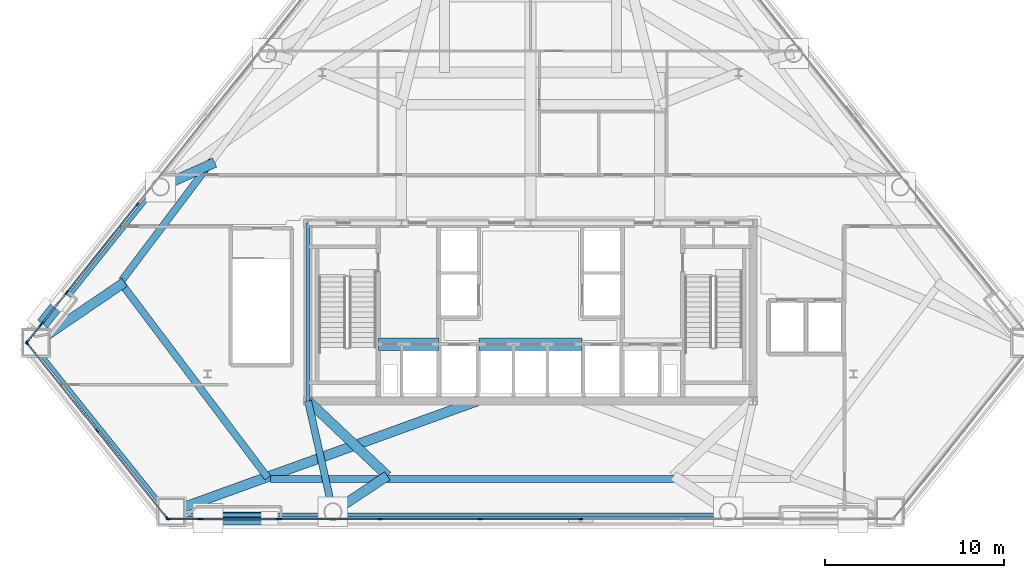
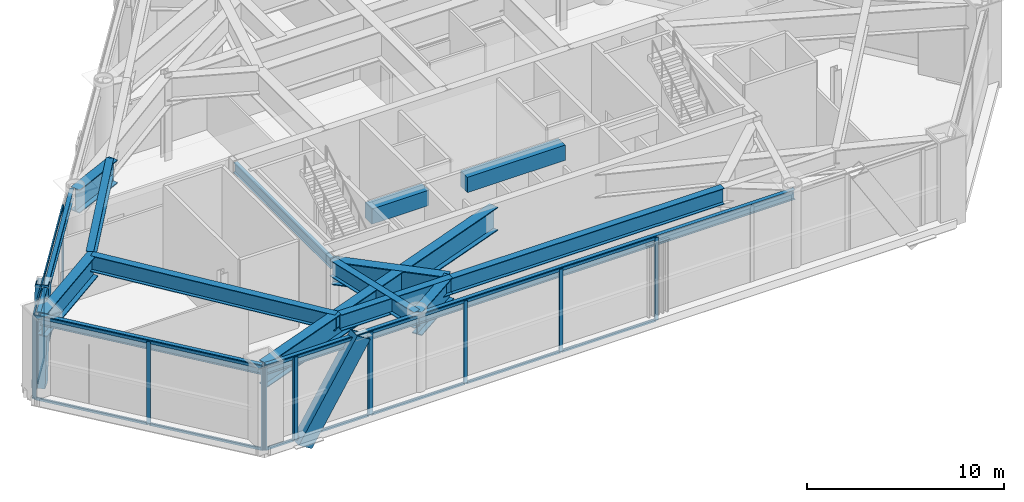
# One storey, part 3 of 13: 39 members, 17 beams, 7 elements without a shape of their own.
"""IFC4 building model written with IfcOpenShell, lengths in metres."""

from ifc_helpers import new_model, si_unit, direction, frame, origin, origin_2d, place, context, subcontext, project, spatial, rectangle, hollow_rectangle, i_section, extrude, material, layer, layer_set, material_profile, profile_set, type_object, element, aggregate, save


model = new_model("IFC4")

# Units and contexts
model_context = context("Model", 3, precision=1e-05, world=origin(), true_north=direction((0.0, 1.0)))
body_context = subcontext(model_context, "Body", "Model", "MODEL_VIEW")
ifc_project = project(units=[si_unit("LENGTHUNIT", "METRE"), si_unit("AREAUNIT", "SQUARE_METRE"), si_unit("VOLUMEUNIT", "CUBIC_METRE"), si_unit("PLANEANGLEUNIT", "RADIAN"), si_unit("MASSUNIT", "GRAM", prefix="KILO")], contexts=[model_context])

# Site, building, storey
site_placement = place(None, origin())
site = spatial("IfcSite", under=ifc_project, at=site_placement, CompositionType="ELEMENT")
building_placement = place(site_placement, origin())
building = spatial("IfcBuilding", under=site, at=building_placement, Name="Talgorran Terracotta Tower", CompositionType="ELEMENT")
storey_placement = place(building_placement, frame((0.0, 0.0, 18.89990234375)))
storey = spatial("IfcBuildingStorey", under=building, at=storey_placement, Name="L04", CompositionType="ELEMENT", Elevation=18.89990234375)

# Beams
ifc_material_1 = material(Name="Steel Grade 350 (350L0)", Category="steel")
ifc_material_profile_1 = material_profile(ifc_material_1, i_section(OverallWidth=0.39990234375, OverallDepth=1.0, WebThickness=0.01611328125, FlangeThickness=0.031005859375, at=origin_2d()), Name="1000WB296")
ifc_profile_set_1 = profile_set([ifc_material_profile_1], Name="Steel Grade 350 (350L0)")
beam_type_1 = type_object("IfcBeamType", Name="BM_1000WB296", PredefinedType="BEAM", material=ifc_profile_set_1)
beam_1_placement = place(storey_placement, frame((-11.01220703125, -20.280029296875, 4.650146484375), z_axis=(-0.219093011867, 0.975703977726, 0.0), x_axis=(-0.975703977726, -0.219093011867, 0.0)))
element("IfcBeam", 1, at=beam_1_placement, inside=storey, type_object=beam_type_1, Name="L04 South-West Core Tie Beam", PredefinedType="BEAM", context=body_context, shape_type="SweptSolid", body=[
    extrude(i_section(OverallWidth=0.39990234375, OverallDepth=1.0, WebThickness=0.01611328125, FlangeThickness=0.031005859375, at=origin_2d()), origin(), (0.0, 0.0, 1.0), 6.333740234375),
])
beam_2_placement = place(storey_placement, frame((-22.770263671875, -7.5986328125, 4.650146484375), z_axis=(0.601820005964, -0.798631755205, 0.0), x_axis=(0.798631755205, 0.601820005964, 0.0)))
element("IfcBeam", 2, at=beam_2_placement, inside=storey, type_object=beam_type_1, Name="L04 Setback Inner Spandrel Girder 1", PredefinedType="BEAM", context=body_context, shape_type="SweptSolid", body=[
    extrude(i_section(OverallWidth=0.39990234375, OverallDepth=1.0, WebThickness=0.01611328125, FlangeThickness=0.031005859375, at=origin_2d()), origin(), (0.0, 0.0, 1.0), 13.510009765625),
])
beam_3_placement = place(storey_placement, frame((-14.495849609375, -18.4599609375, 4.650146484375), z_axis=(1.0, 0.0, 0.0), x_axis=(0.0, 1.0, 0.0)))
element("IfcBeam", 3, at=beam_3_placement, inside=storey, type_object=beam_type_1, Name="L04 Setback Inner Spandrel Girder 2", PredefinedType="BEAM", context=body_context, shape_type="SweptSolid", body=[
    extrude(i_section(OverallWidth=0.39990234375, OverallDepth=1.0, WebThickness=0.01611328125, FlangeThickness=0.031005859375, at=origin_2d()), origin(), (0.0, 0.0, 1.0), 6.523193359375),
])
beam_4_placement = place(storey_placement, frame((-7.97265625, -18.4599609375, 4.650146484375), z_axis=(1.0, 0.0, 0.0), x_axis=(0.0, 1.0, 0.0)))
element("IfcBeam", 4, at=beam_4_placement, inside=storey, type_object=beam_type_1, Name="L04 Setback Inner Spandrel Girder 3", PredefinedType="BEAM", context=body_context, shape_type="SweptSolid", body=[
    extrude(i_section(OverallWidth=0.39990234375, OverallDepth=1.0, WebThickness=0.01611328125, FlangeThickness=0.031005859375, at=origin_2d()), origin(), (0.0, 0.0, 1.0), 15.9453125),
])
beam_5_placement = place(storey_placement, frame((-17.7431640625, -0.710693359375, 4.650146484375), z_axis=(-0.601803503312, -0.798644190739, 0.0), x_axis=(0.798644190739, -0.601803503312, 0.0)))
element("IfcBeam", 5, at=beam_5_placement, inside=storey, type_object=beam_type_1, Name="L04 Setback Inner Spandrel Girder 12", PredefinedType="BEAM", context=body_context, shape_type="SweptSolid", body=[
    extrude(i_section(OverallWidth=0.39990234375, OverallDepth=1.0, WebThickness=0.01611328125, FlangeThickness=0.031005859375, at=origin_2d()), origin(), (0.0, 0.0, 1.0), 8.353271484375),
])
ifc_material_2 = material(Name="Concrete C65/80", Category="concrete")
ifc_material_profile_2 = material_profile(ifc_material_2, rectangle(XDim=0.699951171875, YDim=0.949951171875, at=origin_2d()), Name="RCCB700X950")
ifc_profile_set_2 = profile_set([ifc_material_profile_2], Name="Concrete C65/80")
beam_type_2 = type_object("IfcBeamType", Name="BM_CB_700X950", PredefinedType="LINTEL", material=ifc_profile_set_2)
beam_6_placement = place(storey_placement, frame((-8.47998046875, -10.949951171875, 4.675048828125), z_axis=(1.0, 0.0, 0.0), x_axis=(0.0, 1.0, 0.0)))
element("IfcBeam", 6, at=beam_6_placement, inside=storey, type_object=beam_type_2, Name="L04 Core Shear-Wall Coupling Beam CB1", PredefinedType="LINTEL", context=body_context, shape_type="SweptSolid", body=[
    extrude(rectangle(XDim=0.699951171875, YDim=0.949951171875, at=origin_2d()), origin(), (0.0, 0.0, 1.0), 3.35986328125),
])
beam_7_placement = place(storey_placement, frame((-2.8798828125, -10.949951171875, 4.675048828125), z_axis=(1.0, 0.0, 0.0), x_axis=(0.0, 1.0, 0.0)))
element("IfcBeam", 7, at=beam_7_placement, inside=storey, type_object=beam_type_2, Name="L04 Core Shear-Wall Coupling Beam CB2", PredefinedType="LINTEL", context=body_context, shape_type="SweptSolid", body=[
    extrude(rectangle(XDim=0.699951171875, YDim=0.949951171875, at=origin_2d()), origin(), (0.0, 0.0, 1.0), 5.759765625),
])
ifc_material_3 = material(Name="Steel S355 (300PLUS)", Category="steel")
ifc_material_profile_3 = material_profile(ifc_material_3, i_section(OverallWidth=0.22900390625, OverallDepth=0.611572265625, WebThickness=0.011962890625, FlangeThickness=0.01953125, at=origin_2d()), Name="610UB125")
ifc_profile_set_3 = profile_set([ifc_material_profile_3], Name="Steel S355 (300PLUS)")
beam_type_3 = type_object("IfcBeamType", Name="BM_SP_610UB125", PredefinedType="SPANDREL", material=ifc_profile_set_3)
beam_8_placement = place(storey_placement, frame((-27.710205078125, -10.968505859375, 4.84423828125), z_axis=(0.625116627788, -0.780531358539, 0.0), x_axis=(0.780531358539, 0.625116627788, 0.0)))
element("IfcBeam", 8, at=beam_8_placement, inside=storey, type_object=beam_type_3, Name="L04 Perimeter Spandrel Beam MC1-MC2", PredefinedType="SPANDREL", context=body_context, shape_type="SweptSolid", body=[
    extrude(i_section(OverallWidth=0.22900390625, OverallDepth=0.611572265625, WebThickness=0.011962890625, FlangeThickness=0.01953125, at=origin_2d()), origin(), (0.0, 0.0, 1.0), 12.073974609375),
])
beam_9_placement = place(storey_placement, frame((-20.022216796875, -20.4599609375, 4.84423828125), z_axis=(1.0, 0.0, 0.0), x_axis=(0.0, 1.0, 0.0)))
element("IfcBeam", 9, at=beam_9_placement, inside=storey, type_object=beam_type_3, Name="L04 Perimeter Spandrel Beam MC2-FC1", PredefinedType="SPANDREL", context=body_context, shape_type="SweptSolid", body=[
    extrude(i_section(OverallWidth=0.22900390625, OverallDepth=0.611572265625, WebThickness=0.011962890625, FlangeThickness=0.01953125, at=origin_2d()), origin(), (0.0, 0.0, 1.0), 9.010009765625),
])
beam_10_placement = place(storey_placement, frame((-11.01220703125, -20.4599609375, 4.84423828125), z_axis=(1.0, 0.0, 0.0), x_axis=(0.0, 1.0, 0.0)))
element("IfcBeam", 10, at=beam_10_placement, inside=storey, type_object=beam_type_3, Name="L04 Perimeter Spandrel Beam FC1-FC2", PredefinedType="SPANDREL", context=body_context, shape_type="SweptSolid", body=[
    extrude(i_section(OverallWidth=0.22900390625, OverallDepth=0.611572265625, WebThickness=0.011962890625, FlangeThickness=0.01953125, at=origin_2d()), origin(), (0.0, 0.0, 1.0), 22.0244140625),
])
beam_11_placement = place(storey_placement, frame((-20.7607421875, -2.06640625, 4.84423828125), z_axis=(-0.625126142132, -0.780523738539, 0.0), x_axis=(0.780523738539, -0.625126142132, 0.0)))
element("IfcBeam", 11, at=beam_11_placement, inside=storey, type_object=beam_type_3, Name="L04 Perimeter Spandrel Beam FC6-MC1", PredefinedType="SPANDREL", context=body_context, shape_type="SweptSolid", body=[
    extrude(i_section(OverallWidth=0.22900390625, OverallDepth=0.611572265625, WebThickness=0.011962890625, FlangeThickness=0.01953125, at=origin_2d()), origin(), (0.0, 0.0, 1.0), 11.116943359375),
])
beam_12_placement = place(storey_placement, frame((-12.39990234375, -14.10009765625, 4.84423828125), z_axis=(0.0, 1.0, 0.0), x_axis=(-1.0, 0.0, 0.0)))
element("IfcBeam", 12, at=beam_12_placement, inside=storey, type_object=beam_type_3, Name="L04 Core Frame Beam CFW", PredefinedType="SPANDREL", context=body_context, shape_type="SweptSolid", body=[
    extrude(i_section(OverallWidth=0.22900390625, OverallDepth=0.611572265625, WebThickness=0.011962890625, FlangeThickness=0.01953125, at=origin_2d()), origin(), (0.0, 0.0, 1.0), 9.900146484375),
])
ifc_material_profile_4 = material_profile(ifc_material_1, i_section(OverallWidth=0.550048828125, OverallDepth=1.449951171875, WebThickness=0.031982421875, FlangeThickness=0.054931640625, at=origin_2d()), Name="TG1450X550")
ifc_profile_set_4 = profile_set([ifc_material_profile_4], Name="Steel Grade 350 (350L0)")
beam_type_4 = type_object("IfcBeamType", Name="BM_TG_1450", PredefinedType="BEAM", material=ifc_profile_set_4)
beam_13_placement = place(storey_placement, frame((-27.56982421875, -10.85595703125, 4.425048828125), z_axis=(0.826615814454, 0.56276664373, 0.0), x_axis=(-0.56276664373, 0.826615814454, 0.0)))
element("IfcBeam", 13, at=beam_13_placement, inside=storey, type_object=beam_type_4, Name="L04 Transfer Girder 1A", PredefinedType="BEAM", context=body_context, shape_type="SweptSolid", body=[
    extrude(i_section(OverallWidth=0.550048828125, OverallDepth=1.449951171875, WebThickness=0.031982421875, FlangeThickness=0.054931640625, at=origin_2d()), origin(), (0.0, 0.0, 1.0), 5.980224609375),
])
beam_14_placement = place(storey_placement, frame((-20.022216796875, -20.280029296875, 4.425048828125), z_axis=(0.940317108943, 0.340299477856, 0.0), x_axis=(-0.340299477856, 0.940317108943, 0.0)))
element("IfcBeam", 14, at=beam_14_placement, inside=storey, type_object=beam_type_4, Name="L04 Transfer Girder 2", PredefinedType="BEAM", context=body_context, shape_type="SweptSolid", body=[
    extrude(i_section(OverallWidth=0.550048828125, OverallDepth=1.449951171875, WebThickness=0.031982421875, FlangeThickness=0.054931640625, at=origin_2d()), origin(), (0.0, 0.0, 1.0), 18.16015625),
])
beam_15_placement = place(storey_placement, frame((-11.01220703125, -20.280029296875, 4.425048828125), z_axis=(0.835379785205, 0.549673188787, 0.0), x_axis=(-0.549673188787, 0.835379785205, 0.0)))
element("IfcBeam", 15, at=beam_15_placement, inside=storey, type_object=beam_type_4, Name="L04 Transfer Girder 3A", PredefinedType="BEAM", context=body_context, shape_type="SweptSolid", body=[
    extrude(i_section(OverallWidth=0.550048828125, OverallDepth=1.449951171875, WebThickness=0.031982421875, FlangeThickness=0.054931640625, at=origin_2d()), origin(), (0.0, 0.0, 1.0), 3.638427734375),
])
beam_16_placement = place(storey_placement, frame((-7.97265625, -18.280029296875, 4.425048828125), z_axis=(-0.727124342691, 0.686505783126, 0.0), x_axis=(-0.686505783126, -0.727124342691, 0.0)))
element("IfcBeam", 16, at=beam_16_placement, inside=storey, type_object=beam_type_4, Name="L04 Transfer Girder 3B", PredefinedType="BEAM", context=body_context, shape_type="SweptSolid", body=[
    extrude(i_section(OverallWidth=0.550048828125, OverallDepth=1.449951171875, WebThickness=0.031982421875, FlangeThickness=0.054931640625, at=origin_2d()), origin(), (0.0, 0.0, 1.0), 6.088623046875),
])
beam_17_placement = place(storey_placement, frame((-20.620361328125, -2.1787109375, 4.425048828125), z_axis=(0.911902199441, 0.410407576264, 0.0), x_axis=(-0.410407576264, 0.911902199441, 0.0)))
element("IfcBeam", 17, at=beam_17_placement, inside=storey, type_object=beam_type_4, Name="L04 Transfer Girder 12A", PredefinedType="BEAM", context=body_context, shape_type="SweptSolid", body=[
    extrude(i_section(OverallWidth=0.550048828125, OverallDepth=1.449951171875, WebThickness=0.031982421875, FlangeThickness=0.054931640625, at=origin_2d()), origin(), (0.0, 0.0, 1.0), 3.312744140625),
])

# Members
ifc_material_profile_5 = material_profile(ifc_material_1, hollow_rectangle(XDim=0.699951171875, YDim=0.89990234375, WallThickness=0.050048828125, at=origin_2d()), Name="WBOX900X700X50")
ifc_profile_set_5 = profile_set([ifc_material_profile_5], Name="Steel Grade 350 (350L0)")
member_type_1 = type_object("IfcMemberType", Name="MB_MEGA_900", PredefinedType="BRACE", material=ifc_profile_set_5)
member_1_placement = place(storey_placement, frame((-17.9736328125, -20.639892578125, -0.419921875), z_axis=(0.522997183998, 0.0, 0.852334409449), x_axis=(0.0, 1.0, 0.0)))
element("IfcMember", 18, at=member_1_placement, inside=storey, type_object=member_type_1, Name="L04 Exterior Face Mega-Brace MB-1 (SWF)", PredefinedType="BRACE", context=body_context, shape_type="SweptSolid", body=[
    extrude(hollow_rectangle(XDim=0.699951171875, YDim=0.89990234375, WallThickness=0.050048828125, at=origin_2d()), origin(), (0.0, 0.0, 1.0), 6.564208984375),
])
member_2_placement = place(storey_placement, frame((-26.923095703125, -9.47265625, -0.419921875), z_axis=(0.13029399466, 0.162686114525, 0.978037168566), x_axis=(-0.780529099081, 0.625119448976, 0.0)))
element("IfcMember", 19, at=member_2_placement, inside=storey, type_object=member_type_1, Name="L04 Exterior Face Mega-Brace MB-1 (NWL)", PredefinedType="BRACE", context=body_context, shape_type="SweptSolid", body=[
    extrude(hollow_rectangle(XDim=0.699951171875, YDim=0.89990234375, WallThickness=0.050048828125, at=origin_2d()), origin(), (0.0, 0.0, 1.0), 5.720703125),
])

# Curtain wall, members
ifc_material_4 = material(Name="Terracotta and Low-E Glazing", Category="masonry")
ifc_layer = layer(ifc_material_4, 0.219970703125, Name="CW_SYS1_PODIUM")
ifc_layer_set = layer_set([ifc_layer], Name="Terracotta and Low-E Glazing")
curtain_wall_type = type_object("IfcCurtainWallType", Name="CW_SYS1_PODIUM", PredefinedType="NOTDEFINED", material=ifc_layer_set)
curtain_wall_1_placement = place(storey_placement, origin())
curtain_wall_1 = element("IfcCurtainWall", 20, at=curtain_wall_1_placement, inside=storey, type_object=curtain_wall_type, Name="CW-L04-F0", PredefinedType="NOTDEFINED")
ifc_material_5 = material(Name="Architectural Aluminium 6063-T6", Category="aluminium")
ifc_material_profile_6 = material_profile(ifc_material_5, rectangle(XDim=0.074951171875, YDim=0.219970703125, at=origin_2d()), Name="CWM75X220")
ifc_profile_set_6 = profile_set([ifc_material_profile_6], Name="Architectural Aluminium 6063-T6")
member_type_2 = type_object("IfcMemberType", Name="MUL_75X220", PredefinedType="MULLION", material=ifc_profile_set_6)
member_3_placement = place(storey_placement, frame((-28.058837890625, -10.88525390625, 0.0), z_axis=(0.0, 0.0, 1.0), x_axis=(0.780531511293, 0.625116437056, 0.0)))
member_3 = element("IfcMember", 21, at=member_3_placement, type_object=member_type_2, Name="CW-L04-0 mullion 1", PredefinedType="MULLION", context=body_context, shape_type="SweptSolid", body=[
    extrude(rectangle(XDim=0.074951171875, YDim=0.219970703125, at=origin_2d()), origin(), (0.0, 0.0, 1.0), 5.150146484375),
])
member_4_placement = place(storey_placement, frame((-24.1484375, -15.76806640625, 0.0), z_axis=(0.0, 0.0, 1.0), x_axis=(0.780531511293, 0.625116437056, 0.0)))
member_4 = element("IfcMember", 22, at=member_4_placement, type_object=member_type_2, Name="CW-L04-0 mullion 2", PredefinedType="MULLION", context=body_context, shape_type="SweptSolid", body=[
    extrude(rectangle(XDim=0.074951171875, YDim=0.219970703125, at=origin_2d()), origin(), (0.0, 0.0, 1.0), 5.150146484375),
])
member_5_placement = place(storey_placement, frame((-20.23779296875, -20.650634765625, 0.0), z_axis=(0.0, 0.0, 1.0), x_axis=(0.780531511293, 0.625116437056, 0.0)))
member_5 = element("IfcMember", 23, at=member_5_placement, type_object=member_type_2, Name="CW-L04-0 mullion 3", PredefinedType="MULLION", context=body_context, shape_type="SweptSolid", body=[
    extrude(rectangle(XDim=0.074951171875, YDim=0.219970703125, at=origin_2d()), origin(), (0.0, 0.0, 1.0), 5.150146484375),
])

curtain_wall_2_placement = place(storey_placement, origin())
curtain_wall_2 = element("IfcCurtainWall", 24, at=curtain_wall_2_placement, inside=storey, type_object=curtain_wall_type, Name="CW-L04-F1", PredefinedType="NOTDEFINED")
member_6_placement = place(storey_placement, frame((-20.177001953125, -20.679931640625, 0.0), z_axis=(0.0, 0.0, 1.0), x_axis=(0.0, 1.0, 0.0)))
member_6 = element("IfcMember", 25, at=member_6_placement, type_object=member_type_2, Name="CW-L04-1 mullion 1", PredefinedType="MULLION", context=body_context, shape_type="SweptSolid", body=[
    extrude(rectangle(XDim=0.074951171875, YDim=0.219970703125, at=origin_2d()), origin(), (0.0, 0.0, 1.0), 5.150146484375),
])
member_7_placement = place(storey_placement, frame((-18.436279296875, -20.679931640625, 0.0), z_axis=(0.0, 0.0, 1.0), x_axis=(0.0, 1.0, 0.0)))
member_7 = element("IfcMember", 26, at=member_7_placement, type_object=member_type_2, Name="CW-L04-1 mullion 2", PredefinedType="MULLION", context=body_context, shape_type="SweptSolid", body=[
    extrude(rectangle(XDim=0.074951171875, YDim=0.219970703125, at=origin_2d()), origin(), (0.0, 0.0, 1.0), 5.150146484375),
])

curtain_wall_3_placement = place(storey_placement, origin())
curtain_wall_3 = element("IfcCurtainWall", 27, at=curtain_wall_3_placement, inside=storey, type_object=curtain_wall_type, Name="CW-L04-F1B", PredefinedType="NOTDEFINED")
member_8_placement = place(storey_placement, frame((-18.351318359375, -20.679931640625, 0.0), z_axis=(0.0, 0.0, 1.0), x_axis=(0.0, 1.0, 0.0)))
member_8 = element("IfcMember", 28, at=member_8_placement, type_object=member_type_2, Name="CW-L04-1B mullion 1", PredefinedType="MULLION", context=body_context, shape_type="SweptSolid", body=[
    extrude(rectangle(XDim=0.074951171875, YDim=0.219970703125, at=origin_2d()), origin(), (0.0, 0.0, 1.0), 5.150146484375),
])
member_9_placement = place(storey_placement, frame((-14.049560546875, -20.679931640625, 0.0), z_axis=(0.0, 0.0, 1.0), x_axis=(0.0, 1.0, 0.0)))
member_9 = element("IfcMember", 29, at=member_9_placement, type_object=member_type_2, Name="CW-L04-1B mullion 2", PredefinedType="MULLION", context=body_context, shape_type="SweptSolid", body=[
    extrude(rectangle(XDim=0.074951171875, YDim=0.219970703125, at=origin_2d()), origin(), (0.0, 0.0, 1.0), 5.150146484375),
])

curtain_wall_4_placement = place(storey_placement, origin())
curtain_wall_4 = element("IfcCurtainWall", 30, at=curtain_wall_4_placement, inside=storey, type_object=curtain_wall_type, Name="CW-L04-F1C", PredefinedType="NOTDEFINED")
member_10_placement = place(storey_placement, frame((-13.964599609375, -20.679931640625, 0.0), z_axis=(0.0, 0.0, 1.0), x_axis=(0.0, 1.0, 0.0)))
member_10 = element("IfcMember", 31, at=member_10_placement, type_object=member_type_2, Name="CW-L04-1C mullion 1", PredefinedType="MULLION", context=body_context, shape_type="SweptSolid", body=[
    extrude(rectangle(XDim=0.074951171875, YDim=0.219970703125, at=origin_2d()), origin(), (0.0, 0.0, 1.0), 5.150146484375),
])
member_11_placement = place(storey_placement, frame((-8.401123046875, -20.679931640625, 0.0), z_axis=(0.0, 0.0, 1.0), x_axis=(0.0, 1.0, 0.0)))
member_11 = element("IfcMember", 32, at=member_11_placement, type_object=member_type_2, Name="CW-L04-1C mullion 2", PredefinedType="MULLION", context=body_context, shape_type="SweptSolid", body=[
    extrude(rectangle(XDim=0.074951171875, YDim=0.219970703125, at=origin_2d()), origin(), (0.0, 0.0, 1.0), 5.150146484375),
])
member_12_placement = place(storey_placement, frame((-2.80029296875, -20.679931640625, 0.0), z_axis=(0.0, 0.0, 1.0), x_axis=(0.0, 1.0, 0.0)))
member_12 = element("IfcMember", 33, at=member_12_placement, type_object=member_type_2, Name="CW-L04-1C mullion 3", PredefinedType="MULLION", context=body_context, shape_type="SweptSolid", body=[
    extrude(rectangle(XDim=0.074951171875, YDim=0.219970703125, at=origin_2d()), origin(), (0.0, 0.0, 1.0), 5.150146484375),
])
member_13_placement = place(storey_placement, frame((2.80029296875, -20.679931640625, 0.0), z_axis=(0.0, 0.0, 1.0), x_axis=(0.0, 1.0, 0.0)))
member_13 = element("IfcMember", 34, at=member_13_placement, type_object=member_type_2, Name="CW-L04-1C mullion 4", PredefinedType="MULLION", context=body_context, shape_type="SweptSolid", body=[
    extrude(rectangle(XDim=0.074951171875, YDim=0.219970703125, at=origin_2d()), origin(), (0.0, 0.0, 1.0), 5.150146484375),
])

curtain_wall_5_placement = place(storey_placement, origin())
curtain_wall_5 = element("IfcCurtainWall", 35, at=curtain_wall_5_placement, inside=storey, type_object=curtain_wall_type, Name="CW-L04-F5C", PredefinedType="NOTDEFINED")
member_14_placement = place(storey_placement, frame((-21.91357421875, -3.15380859375, 0.0), z_axis=(0.0, 0.0, 1.0), x_axis=(0.780532542614, -0.625115149329, 0.0)))
member_14 = element("IfcMember", 36, at=member_14_placement, type_object=member_type_2, Name="CW-L04-5C mullion 4", PredefinedType="MULLION", context=body_context, shape_type="SweptSolid", body=[
    extrude(rectangle(XDim=0.074951171875, YDim=0.219970703125, at=origin_2d()), origin(), (0.0, 0.0, 1.0), 5.150146484375),
])
member_15_placement = place(storey_placement, frame((-25.8134765625, -8.023193359375, 0.0), z_axis=(0.0, 0.0, 1.0), x_axis=(0.780532542614, -0.625115149329, 0.0)))
member_15 = element("IfcMember", 37, at=member_15_placement, type_object=member_type_2, Name="CW-L04-5C mullion 5", PredefinedType="MULLION", context=body_context, shape_type="SweptSolid", body=[
    extrude(rectangle(XDim=0.074951171875, YDim=0.219970703125, at=origin_2d()), origin(), (0.0, 0.0, 1.0), 5.150146484375),
])

curtain_wall_6_placement = place(storey_placement, origin())
curtain_wall_6 = element("IfcCurtainWall", 38, at=curtain_wall_6_placement, inside=storey, type_object=curtain_wall_type, Name="CW-L04-F5D", PredefinedType="NOTDEFINED")
member_16_placement = place(storey_placement, frame((-25.86669921875, -8.089599609375, 0.0), z_axis=(0.0, 0.0, 1.0), x_axis=(0.780541073013, -0.625104497936, 0.0)))
member_16 = element("IfcMember", 39, at=member_16_placement, type_object=member_type_2, Name="CW-L04-5D mullion 1", PredefinedType="MULLION", context=body_context, shape_type="SweptSolid", body=[
    extrude(rectangle(XDim=0.074951171875, YDim=0.219970703125, at=origin_2d()), origin(), (0.0, 0.0, 1.0), 5.150146484375),
])
member_17_placement = place(storey_placement, frame((-27.253173828125, -9.82080078125, 0.0), z_axis=(0.0, 0.0, 1.0), x_axis=(0.780541073013, -0.625104497936, 0.0)))
member_17 = element("IfcMember", 40, at=member_17_placement, type_object=member_type_2, Name="CW-L04-5D mullion 2", PredefinedType="MULLION", context=body_context, shape_type="SweptSolid", body=[
    extrude(rectangle(XDim=0.074951171875, YDim=0.219970703125, at=origin_2d()), origin(), (0.0, 0.0, 1.0), 5.150146484375),
])

curtain_wall_7_placement = place(storey_placement, origin())
curtain_wall_7 = element("IfcCurtainWall", 41, at=curtain_wall_7_placement, inside=storey, type_object=curtain_wall_type, Name="CW-L04-F5E", PredefinedType="NOTDEFINED")
member_18_placement = place(storey_placement, frame((-27.306396484375, -9.886962890625, 0.0), z_axis=(0.0, 0.0, 1.0), x_axis=(0.780548295566, -0.625095479338, 0.0)))
member_18 = element("IfcMember", 42, at=member_18_placement, type_object=member_type_2, Name="CW-L04-5E mullion 1", PredefinedType="MULLION", context=body_context, shape_type="SweptSolid", body=[
    extrude(rectangle(XDim=0.074951171875, YDim=0.219970703125, at=origin_2d()), origin(), (0.0, 0.0, 1.0), 5.150146484375),
])
member_19_placement = place(storey_placement, frame((-28.058837890625, -10.82666015625, 0.0), z_axis=(0.0, 0.0, 1.0), x_axis=(0.780548295566, -0.625095479338, 0.0)))
member_19 = element("IfcMember", 43, at=member_19_placement, type_object=member_type_2, Name="CW-L04-5E mullion 2", PredefinedType="MULLION", context=body_context, shape_type="SweptSolid", body=[
    extrude(rectangle(XDim=0.074951171875, YDim=0.219970703125, at=origin_2d()), origin(), (0.0, 0.0, 1.0), 5.150146484375),
])

# Member
ifc_material_profile_7 = material_profile(ifc_material_5, rectangle(XDim=0.074951171875, YDim=0.179931640625, at=origin_2d()), Name="CWT75X180")
ifc_profile_set_7 = profile_set([ifc_material_profile_7], Name="Architectural Aluminium 6063-T6")
member_type_3 = type_object("IfcMemberType", Name="TRN_75X180", PredefinedType="USERDEFINED", material=ifc_profile_set_7)
member_20_placement = place(storey_placement, frame((-28.035400390625, -10.91455078125, 0.03759765625), z_axis=(0.625104423976, -0.780541132244, 0.0), x_axis=(0.780541132244, 0.625104423976, 0.0)))
member_20 = element("IfcMember", 44, at=member_20_placement, type_object=member_type_3, Name="CW-L04-0 transom 1.1", ObjectType="TRANSOM", PredefinedType="USERDEFINED", context=body_context, shape_type="SweptSolid", body=[
    extrude(rectangle(XDim=0.074951171875, YDim=0.179931640625, at=origin_2d()), origin(), (0.0, 0.0, 1.0), 6.1806640625),
])

member_21_placement = place(storey_placement, frame((-28.035400390625, -10.91455078125, 5.112548828125), z_axis=(0.625104423976, -0.780541132244, 0.0), x_axis=(0.780541132244, 0.625104423976, 0.0)))
member_21 = element("IfcMember", 45, at=member_21_placement, type_object=member_type_3, Name="CW-L04-0 transom 1.2", ObjectType="TRANSOM", PredefinedType="USERDEFINED", context=body_context, shape_type="SweptSolid", body=[
    extrude(rectangle(XDim=0.074951171875, YDim=0.179931640625, at=origin_2d()), origin(), (0.0, 0.0, 1.0), 6.1806640625),
])

member_22_placement = place(storey_placement, frame((-24.125, -15.79736328125, 0.03759765625), z_axis=(0.625128488892, -0.780521858999, 0.0), x_axis=(0.780521858999, 0.625128488892, 0.0)))
member_22 = element("IfcMember", 46, at=member_22_placement, type_object=member_type_3, Name="CW-L04-0 transom 2.1", ObjectType="TRANSOM", PredefinedType="USERDEFINED", context=body_context, shape_type="SweptSolid", body=[
    extrude(rectangle(XDim=0.074951171875, YDim=0.179931640625, at=origin_2d()), origin(), (0.0, 0.0, 1.0), 6.1806640625),
])

member_23_placement = place(storey_placement, frame((-24.125, -15.79736328125, 5.112548828125), z_axis=(0.625128488892, -0.780521858999, 0.0), x_axis=(0.780521858999, 0.625128488892, 0.0)))
member_23 = element("IfcMember", 47, at=member_23_placement, type_object=member_type_3, Name="CW-L04-0 transom 2.2", ObjectType="TRANSOM", PredefinedType="USERDEFINED", context=body_context, shape_type="SweptSolid", body=[
    extrude(rectangle(XDim=0.074951171875, YDim=0.179931640625, at=origin_2d()), origin(), (0.0, 0.0, 1.0), 6.1806640625),
])

aggregate(curtain_wall_1, [member_3, member_4, member_5, member_20, member_21, member_22, member_23])

member_24_placement = place(storey_placement, frame((-20.139404296875, -20.679931640625, 0.03759765625), z_axis=(1.0, 0.0, 0.0), x_axis=(0.0, 1.0, 0.0)))
member_24 = element("IfcMember", 48, at=member_24_placement, type_object=member_type_3, Name="CW-L04-1 transom 1.1", ObjectType="TRANSOM", PredefinedType="USERDEFINED", context=body_context, shape_type="SweptSolid", body=[
    extrude(rectangle(XDim=0.074951171875, YDim=0.179931640625, at=origin_2d()), origin(), (0.0, 0.0, 1.0), 1.66552734375),
])

member_25_placement = place(storey_placement, frame((-20.139404296875, -20.679931640625, 5.112548828125), z_axis=(1.0, 0.0, 0.0), x_axis=(0.0, 1.0, 0.0)))
member_25 = element("IfcMember", 49, at=member_25_placement, type_object=member_type_3, Name="CW-L04-1 transom 1.2", ObjectType="TRANSOM", PredefinedType="USERDEFINED", context=body_context, shape_type="SweptSolid", body=[
    extrude(rectangle(XDim=0.074951171875, YDim=0.179931640625, at=origin_2d()), origin(), (0.0, 0.0, 1.0), 1.66552734375),
])

aggregate(curtain_wall_2, [member_6, member_7, member_24, member_25])

member_26_placement = place(storey_placement, frame((-18.31396484375, -20.679931640625, 0.03759765625), z_axis=(1.0, 0.0, 0.0), x_axis=(0.0, 1.0, 0.0)))
member_26 = element("IfcMember", 50, at=member_26_placement, type_object=member_type_3, Name="CW-L04-1B transom 1.1", ObjectType="TRANSOM", PredefinedType="USERDEFINED", context=body_context, shape_type="SweptSolid", body=[
    extrude(rectangle(XDim=0.074951171875, YDim=0.179931640625, at=origin_2d()), origin(), (0.0, 0.0, 1.0), 4.22705078125),
])

member_27_placement = place(storey_placement, frame((-18.31396484375, -20.679931640625, 5.112548828125), z_axis=(1.0, 0.0, 0.0), x_axis=(0.0, 1.0, 0.0)))
member_27 = element("IfcMember", 51, at=member_27_placement, type_object=member_type_3, Name="CW-L04-1B transom 1.2", ObjectType="TRANSOM", PredefinedType="USERDEFINED", context=body_context, shape_type="SweptSolid", body=[
    extrude(rectangle(XDim=0.074951171875, YDim=0.179931640625, at=origin_2d()), origin(), (0.0, 0.0, 1.0), 4.22705078125),
])

aggregate(curtain_wall_3, [member_8, member_9, member_26, member_27])

member_28_placement = place(storey_placement, frame((-13.927001953125, -20.679931640625, 0.03759765625), z_axis=(1.0, 0.0, 0.0), x_axis=(0.0, 1.0, 0.0)))
member_28 = element("IfcMember", 52, at=member_28_placement, type_object=member_type_3, Name="CW-L04-1C transom 1.1", ObjectType="TRANSOM", PredefinedType="USERDEFINED", context=body_context, shape_type="SweptSolid", body=[
    extrude(rectangle(XDim=0.074951171875, YDim=0.179931640625, at=origin_2d()), origin(), (0.0, 0.0, 1.0), 5.48828125),
])

member_29_placement = place(storey_placement, frame((-13.927001953125, -20.679931640625, 5.112548828125), z_axis=(1.0, 0.0, 0.0), x_axis=(0.0, 1.0, 0.0)))
member_29 = element("IfcMember", 53, at=member_29_placement, type_object=member_type_3, Name="CW-L04-1C transom 1.2", ObjectType="TRANSOM", PredefinedType="USERDEFINED", context=body_context, shape_type="SweptSolid", body=[
    extrude(rectangle(XDim=0.074951171875, YDim=0.179931640625, at=origin_2d()), origin(), (0.0, 0.0, 1.0), 5.48828125),
])

member_30_placement = place(storey_placement, frame((-8.36376953125, -20.679931640625, 0.03759765625), z_axis=(1.0, 0.0, 0.0), x_axis=(0.0, 1.0, 0.0)))
member_30 = element("IfcMember", 54, at=member_30_placement, type_object=member_type_3, Name="CW-L04-1C transom 2.1", ObjectType="TRANSOM", PredefinedType="USERDEFINED", context=body_context, shape_type="SweptSolid", body=[
    extrude(rectangle(XDim=0.074951171875, YDim=0.179931640625, at=origin_2d()), origin(), (0.0, 0.0, 1.0), 5.52587890625),
])

member_31_placement = place(storey_placement, frame((-8.36376953125, -20.679931640625, 5.112548828125), z_axis=(1.0, 0.0, 0.0), x_axis=(0.0, 1.0, 0.0)))
member_31 = element("IfcMember", 55, at=member_31_placement, type_object=member_type_3, Name="CW-L04-1C transom 2.2", ObjectType="TRANSOM", PredefinedType="USERDEFINED", context=body_context, shape_type="SweptSolid", body=[
    extrude(rectangle(XDim=0.074951171875, YDim=0.179931640625, at=origin_2d()), origin(), (0.0, 0.0, 1.0), 5.52587890625),
])

member_32_placement = place(storey_placement, frame((-2.762939453125, -20.679931640625, 0.03759765625), z_axis=(1.0, 0.0, 0.0), x_axis=(0.0, 1.0, 0.0)))
member_32 = element("IfcMember", 56, at=member_32_placement, type_object=member_type_3, Name="CW-L04-1C transom 3.1", ObjectType="TRANSOM", PredefinedType="USERDEFINED", context=body_context, shape_type="SweptSolid", body=[
    extrude(rectangle(XDim=0.074951171875, YDim=0.179931640625, at=origin_2d()), origin(), (0.0, 0.0, 1.0), 5.52587890625),
])

member_33_placement = place(storey_placement, frame((-2.762939453125, -20.679931640625, 5.112548828125), z_axis=(1.0, 0.0, 0.0), x_axis=(0.0, 1.0, 0.0)))
member_33 = element("IfcMember", 57, at=member_33_placement, type_object=member_type_3, Name="CW-L04-1C transom 3.2", ObjectType="TRANSOM", PredefinedType="USERDEFINED", context=body_context, shape_type="SweptSolid", body=[
    extrude(rectangle(XDim=0.074951171875, YDim=0.179931640625, at=origin_2d()), origin(), (0.0, 0.0, 1.0), 5.52587890625),
])

aggregate(curtain_wall_4, [member_10, member_11, member_12, member_13, member_28, member_29, member_30, member_31, member_32, member_33])

member_34_placement = place(storey_placement, frame((-21.93701171875, -3.18310546875, 0.03759765625), z_axis=(-0.625129697892, -0.780520890696, 0.0), x_axis=(0.780520890696, -0.625129697892, 0.0)))
member_34 = element("IfcMember", 58, at=member_34_placement, type_object=member_type_3, Name="CW-L04-5C transom 4.1", ObjectType="TRANSOM", PredefinedType="USERDEFINED", context=body_context, shape_type="SweptSolid", body=[
    extrude(rectangle(XDim=0.074951171875, YDim=0.179931640625, at=origin_2d()), origin(), (0.0, 0.0, 1.0), 6.16357421875),
])

member_35_placement = place(storey_placement, frame((-21.93701171875, -3.18310546875, 5.112548828125), z_axis=(-0.625129697892, -0.780520890696, 0.0), x_axis=(0.780520890696, -0.625129697892, 0.0)))
member_35 = element("IfcMember", 59, at=member_35_placement, type_object=member_type_3, Name="CW-L04-5C transom 4.2", ObjectType="TRANSOM", PredefinedType="USERDEFINED", context=body_context, shape_type="SweptSolid", body=[
    extrude(rectangle(XDim=0.074951171875, YDim=0.179931640625, at=origin_2d()), origin(), (0.0, 0.0, 1.0), 6.16357421875),
])

aggregate(curtain_wall_5, [member_14, member_15, member_34, member_35])

member_36_placement = place(storey_placement, frame((-25.89013671875, -8.118896484375, 0.03759765625), z_axis=(-0.625125657818, -0.780524126429, 0.0), x_axis=(0.780524126429, -0.625125657818, 0.0)))
member_36 = element("IfcMember", 60, at=member_36_placement, type_object=member_type_3, Name="CW-L04-5D transom 1.1", ObjectType="TRANSOM", PredefinedType="USERDEFINED", context=body_context, shape_type="SweptSolid", body=[
    extrude(rectangle(XDim=0.074951171875, YDim=0.179931640625, at=origin_2d()), origin(), (0.0, 0.0, 1.0), 2.142822265625),
])

member_37_placement = place(storey_placement, frame((-25.89013671875, -8.118896484375, 5.112548828125), z_axis=(-0.625125657818, -0.780524126429, 0.0), x_axis=(0.780524126429, -0.625125657818, 0.0)))
member_37 = element("IfcMember", 61, at=member_37_placement, type_object=member_type_3, Name="CW-L04-5D transom 1.2", ObjectType="TRANSOM", PredefinedType="USERDEFINED", context=body_context, shape_type="SweptSolid", body=[
    extrude(rectangle(XDim=0.074951171875, YDim=0.179931640625, at=origin_2d()), origin(), (0.0, 0.0, 1.0), 2.142822265625),
])

aggregate(curtain_wall_6, [member_16, member_17, member_36, member_37])

member_38_placement = place(storey_placement, frame((-27.329833984375, -9.916259765625, 0.03759765625), z_axis=(-0.62506424513, -0.780573308191, 0.0), x_axis=(0.780573308191, -0.62506424513, 0.0)))
member_38 = element("IfcMember", 62, at=member_38_placement, type_object=member_type_3, Name="CW-L04-5E transom 1.1", ObjectType="TRANSOM", PredefinedType="USERDEFINED", context=body_context, shape_type="SweptSolid", body=[
    extrude(rectangle(XDim=0.074951171875, YDim=0.179931640625, at=origin_2d()), origin(), (0.0, 0.0, 1.0), 1.12890625),
])

member_39_placement = place(storey_placement, frame((-27.329833984375, -9.916259765625, 5.112548828125), z_axis=(-0.62506424513, -0.780573308191, 0.0), x_axis=(0.780573308191, -0.62506424513, 0.0)))
member_39 = element("IfcMember", 63, at=member_39_placement, type_object=member_type_3, Name="CW-L04-5E transom 1.2", ObjectType="TRANSOM", PredefinedType="USERDEFINED", context=body_context, shape_type="SweptSolid", body=[
    extrude(rectangle(XDim=0.074951171875, YDim=0.179931640625, at=origin_2d()), origin(), (0.0, 0.0, 1.0), 1.12890625),
])

aggregate(curtain_wall_7, [member_18, member_19, member_38, member_39])

save(model, "model.ifc")
